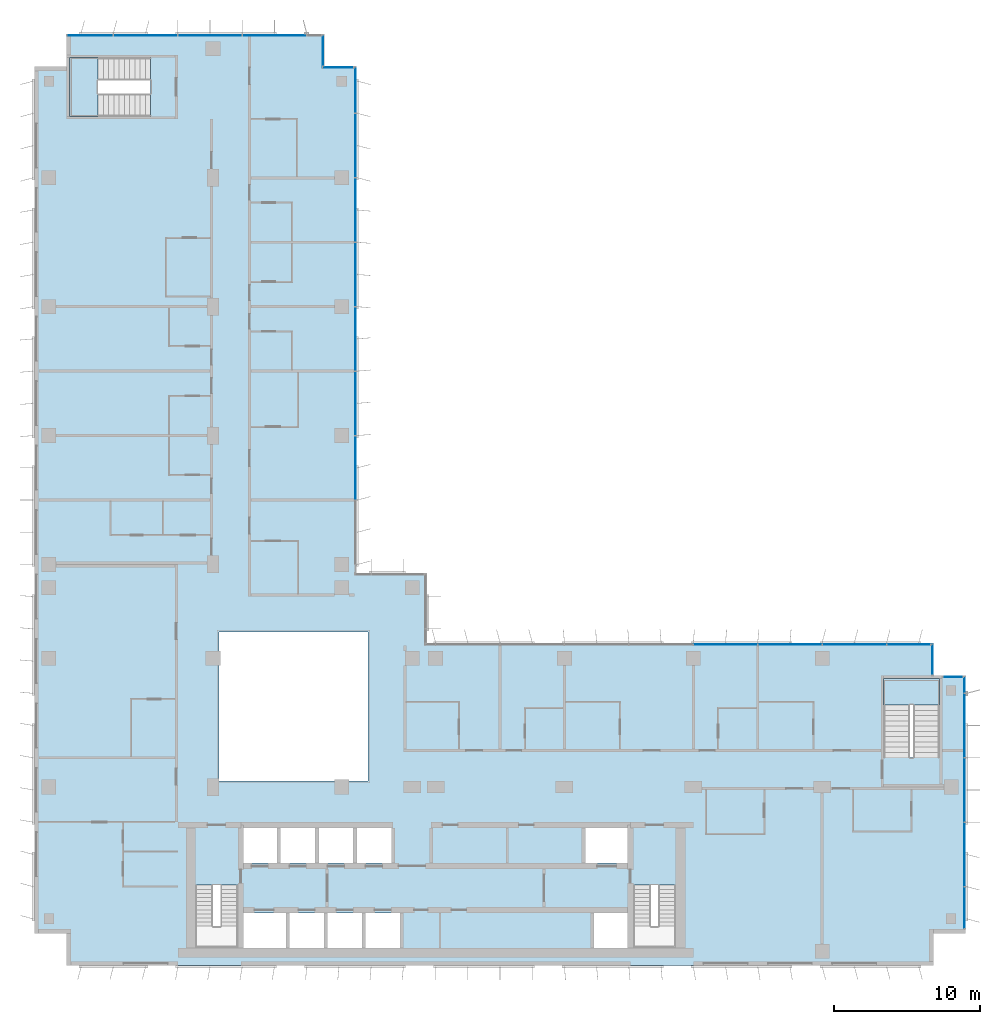
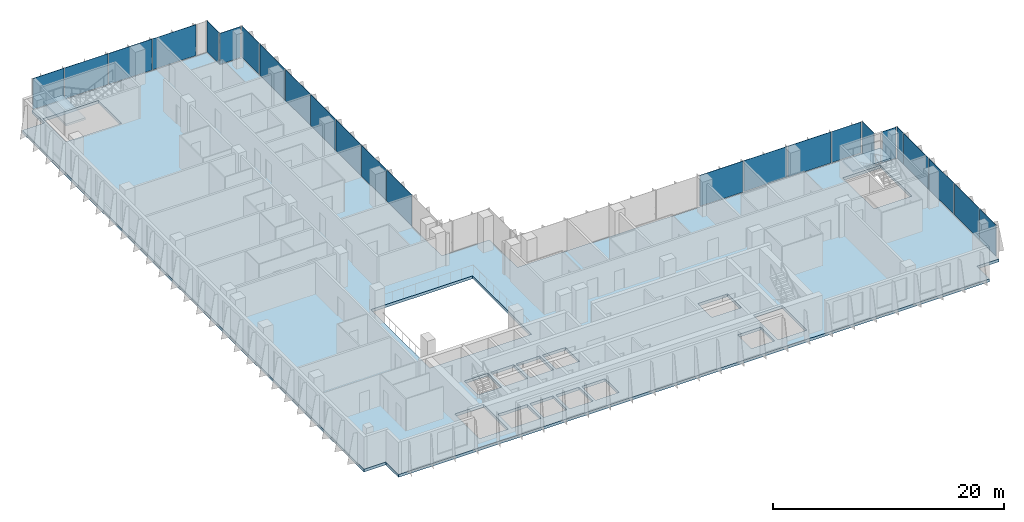
# One storey, part 11 of 21: 24 plates, 3 slabs, 10 elements without a shape of their own.
"""IFC4 building model written with IfcOpenShell, lengths in metres."""

from ifc_helpers import new_model, si_unit, direction, frame, origin, origin_2d, place, context, subcontext, project, spatial, polyline, rectangle, outline, extrude, source, transform, mapped, material, layer, layer_set, type_object, element, aggregate, save


model = new_model("IFC4")

# Units and contexts
model_context = context("Model", 3, precision=1e-05, world=origin(), true_north=direction((0.0, 1.0)))
body_context = subcontext(model_context, "Body", "Model", "MODEL_VIEW")
ifc_project = project(units=[si_unit("LENGTHUNIT", "METRE"), si_unit("AREAUNIT", "SQUARE_METRE"), si_unit("VOLUMEUNIT", "CUBIC_METRE"), si_unit("PLANEANGLEUNIT", "RADIAN"), si_unit("MASSUNIT", "GRAM", prefix="KILO")], contexts=[model_context])

# Site, building, storey
site_placement = place(None, origin())
site = spatial("IfcSite", under=ifc_project, at=site_placement, CompositionType="ELEMENT")
building_placement = place(site_placement, origin())
building = spatial("IfcBuilding", under=site, at=building_placement, Name="Kemantara Hotel Tower", CompositionType="ELEMENT")
storey_placement = place(building_placement, frame((0.0, 0.0, 160.5)))
storey = spatial("IfcBuildingStorey", under=building, at=storey_placement, Name="L39", CompositionType="ELEMENT", Elevation=160.5)

# Slab
ifc_material_1 = material(Name="Concrete fc 40 MPa", Category="concrete")
ifc_layer_1 = layer(ifc_material_1, 0.300048828125)
ifc_layer_set_1 = layer_set([ifc_layer_1], Name="Concrete fc 40 MPa")
slab_type_1 = type_object("IfcSlabType", Name="POST-TENSIONED FLAT PLATE 300", PredefinedType="FLOOR", material=ifc_layer_set_1)
slab_1_placement = place(storey_placement, frame((0.0, 0.0, -0.300048828125)))
element("IfcSlab", 1, at=slab_1_placement, inside=storey, type_object=slab_type_1, Name="FLOOR SLAB L39", PredefinedType="FLOOR", context=body_context, shape_type="SweptSolid", body=[
    extrude(outline(polyline([(22.0, 26.800048828125), (22.0, 61.39990234375), (19.800048828125, 61.39990234375), (19.800048828125, 63.60009765625), (2.199951171875, 63.60009765625), (2.199951171875, 61.39990234375), (0.0, 61.39990234375), (0.0, 2.199951171875), (2.199951171875, 2.199951171875), (2.199951171875, 0.0), (61.39990234375, 0.0), (61.39990234375, 2.199951171875), (63.60009765625, 2.199951171875), (63.60009765625, 19.800048828125), (61.39990234375, 19.800048828125), (61.39990234375, 22.0), (26.800048828125, 22.0), (26.800048828125, 26.800048828125), (22.0, 26.800048828125)]), holes=[polyline([(17.175048828125, 3.60009765625), (17.175048828125, 1.199951171875), (14.22509765625, 1.199951171875), (14.22509765625, 3.60009765625), (17.175048828125, 3.60009765625)]), polyline([(19.77490234375, 1.199951171875), (17.425048828125, 1.199951171875), (17.425048828125, 3.60009765625), (19.77490234375, 3.60009765625), (19.77490234375, 1.199951171875)]), polyline([(11.0, 1.199951171875), (11.0, 5.49951171875), (13.89990234375, 5.49951171875), (13.89990234375, 1.199951171875), (11.0, 1.199951171875)]), polyline([(16.574951171875, 7.0), (14.22509765625, 7.0), (14.22509765625, 9.39990234375), (16.574951171875, 9.39990234375), (16.574951171875, 7.0)]), polyline([(19.175048828125, 7.0), (16.824951171875, 7.0), (16.824951171875, 9.39990234375), (19.175048828125, 9.39990234375), (19.175048828125, 7.0)]), polyline([(21.77490234375, 7.0), (19.425048828125, 7.0), (19.425048828125, 9.39990234375), (21.77490234375, 9.39990234375), (21.77490234375, 7.0)]), polyline([(22.800048828125, 12.60009765625), (12.60009765625, 12.60009765625), (12.60009765625, 22.800048828125), (22.800048828125, 22.800048828125), (22.800048828125, 12.60009765625)]), polyline([(2.39990234375, 62.0), (7.949462890625, 62.0), (7.949462890625, 58.0), (2.39990234375, 58.0), (2.39990234375, 62.0)]), polyline([(22.375, 1.199951171875), (20.02490234375, 1.199951171875), (20.02490234375, 3.60009765625), (22.375, 3.60009765625), (22.375, 1.199951171875)]), polyline([(24.97509765625, 1.199951171875), (22.625, 1.199951171875), (22.625, 3.60009765625), (24.97509765625, 3.60009765625), (24.97509765625, 1.199951171875)]), polyline([(40.574951171875, 1.199951171875), (38.22509765625, 1.199951171875), (38.22509765625, 3.60009765625), (40.574951171875, 3.60009765625), (40.574951171875, 1.199951171875)]), polyline([(40.89990234375, 1.199951171875), (40.89990234375, 5.49951171875), (43.800048828125, 5.49951171875), (43.800048828125, 1.199951171875), (40.89990234375, 1.199951171875)]), polyline([(24.375, 7.0), (22.02490234375, 7.0), (22.02490234375, 9.39990234375), (24.375, 9.39990234375), (24.375, 7.0)]), polyline([(40.574951171875, 7.0), (37.625, 7.0), (37.625, 9.39990234375), (40.574951171875, 9.39990234375), (40.574951171875, 7.0)]), polyline([(61.800048828125, 19.60009765625), (61.800048828125, 14.20068359375), (58.0, 14.20068359375), (58.0, 19.60009765625), (61.800048828125, 19.60009765625)])]), origin(), (0.0, 0.0, 1.0), 0.300048828125),
])

# Stair, slab
stair_type_1 = type_object("IfcStairType", Name="Stair 1800 wide 22 risers of 168 x 360 mm", PredefinedType="HALF_TURN_STAIR", material=ifc_material_1)
stair_1_placement = place(storey_placement, origin())
stair_1 = element("IfcStair", 2, at=stair_1_placement, inside=storey, type_object=stair_type_1, Name="L39 Exit stair ST3", PredefinedType="HALF_TURN_STAIR")
ifc_layer_2 = layer(ifc_material_1, 0.199951171875)
ifc_layer_set_2 = layer_set([ifc_layer_2], Name="Concrete fc 40 MPa")
slab_type_2 = type_object("IfcSlabType", Name="Stair landing 200 mm", PredefinedType="LANDING", material=ifc_layer_set_2)
slab_2_placement = place(storey_placement, frame((0.0, 0.0, 1.64990234375)))
slab_2 = element("IfcSlab", 3, at=slab_2_placement, type_object=slab_type_2, Name="ST3 landing 1", PredefinedType="LANDING", context=body_context, shape_type="SweptSolid", body=[
    extrude(outline(polyline([(61.800048828125, 17.800048828125), (61.800048828125, 19.60009765625), (58.0, 19.60009765625), (58.0, 17.800048828125), (61.800048828125, 17.800048828125)])), origin(), (0.0, 0.0, 1.0), 0.2001953125),
])
aggregate(stair_1, [slab_2])

stair_type_2 = type_object("IfcStairType", Name="Stair 1550 wide 22 risers of 168 x 360 mm", PredefinedType="HALF_TURN_STAIR", material=ifc_material_1)
stair_2_placement = place(storey_placement, origin())
stair_2 = element("IfcStair", 4, at=stair_2_placement, inside=storey, type_object=stair_type_2, Name="L39 Exit stair ST4", PredefinedType="HALF_TURN_STAIR")
slab_3_placement = place(storey_placement, frame((0.0, 0.0, 1.64990234375)))
slab_3 = element("IfcSlab", 5, at=slab_3_placement, type_object=slab_type_2, Name="ST4 landing 1", PredefinedType="LANDING", context=body_context, shape_type="SweptSolid", body=[
    extrude(outline(polyline([(4.35009765625, 62.0), (2.39990234375, 62.0), (2.39990234375, 58.0), (4.35009765625, 58.0), (4.35009765625, 62.0)])), origin(), (0.0, 0.0, 1.0), 0.2001953125),
])
aggregate(stair_2, [slab_3])

# Curtain wall, plate
ifc_material_2 = material(Name="Low-E tinted double insulated glass 36 mm", Category="glass")
curtain_wall_type = type_object("IfcCurtainWallType", Name="TOWER CURTAIN WALL, FRONT FACES", PredefinedType="USERDEFINED", material=ifc_material_2)
curtain_wall_1_placement = place(storey_placement, origin())
curtain_wall_1 = element("IfcCurtainWall", 6, at=curtain_wall_1_placement, inside=storey, type_object=curtain_wall_type, Name="CW4 L39 T3-R11-1", ObjectType="TOWER CURTAIN WALL, FRONT FACES", PredefinedType="USERDEFINED")
ifc_layer_3 = layer(ifc_material_2, 0.035888671875)
ifc_layer_set_3 = layer_set([ifc_layer_3], Name="Low-E tinted double insulated glass 36 mm")
plate_type = type_object("IfcPlateType", Name="TOWER CURTAIN WALL, FRONT FACES PANEL", PredefinedType="CURTAIN_PANEL", material=ifc_layer_set_3)
shared_shape_1 = source(origin(), body_context, "Body", "SweptSolid", [
    extrude(rectangle(XDim=2.81005859375, YDim=0.035888671875, at=origin_2d()), origin(), (0.0, 0.0, 1.0), 3.280029296875),
])
plate_1_placement = place(storey_placement, frame((63.52490234375, 3.965087890625, 0.1201171875), z_axis=(0.0, 0.0, 1.0), x_axis=(0.0, 1.0, 0.0)))
plate_1 = element("IfcPlate", 7, at=plate_1_placement, type_object=plate_type, Name="CW4 glass panel T3-R11-1.1", PredefinedType="CURTAIN_PANEL", context=body_context, shape_type="MappedRepresentation", body=[
    mapped(shared_shape_1, transform((0.0, 0.0, 0.0))),
])

# Curtain wall, plates
curtain_wall_2_placement = place(storey_placement, origin())
curtain_wall_2 = element("IfcCurtainWall", 8, at=curtain_wall_2_placement, inside=storey, type_object=curtain_wall_type, Name="CW4 L39 T3-R02-1", ObjectType="TOWER CURTAIN WALL, FRONT FACES", PredefinedType="USERDEFINED")
shared_shape_2 = source(origin(), body_context, "Body", "SweptSolid", [
    extrude(rectangle(XDim=4.340087890625, YDim=0.035888671875, at=origin_2d()), origin(), (0.0, 0.0, 1.0), 3.280029296875),
])
plate_2_placement = place(storey_placement, frame((16.39990234375, 63.52490234375, 0.1201171875), z_axis=(0.0, 0.0, 1.0), x_axis=(-1.0, 0.0, 0.0)))
plate_2 = element("IfcPlate", 9, at=plate_2_placement, type_object=plate_type, Name="CW4 glass panel T3-R02-1.2", PredefinedType="CURTAIN_PANEL", context=body_context, shape_type="MappedRepresentation", body=[
    mapped(shared_shape_2, transform((0.0, 0.0, 0.0))),
])
plate_3_placement = place(storey_placement, frame((12.0, 63.52490234375, 0.1201171875), z_axis=(0.0, 0.0, 1.0), x_axis=(-1.0, 0.0, 0.0)))
plate_3 = element("IfcPlate", 10, at=plate_3_placement, type_object=plate_type, Name="CW4 glass panel T3-R02-1.3", PredefinedType="CURTAIN_PANEL", context=body_context, shape_type="MappedRepresentation", body=[
    mapped(shared_shape_2, transform((0.0, 0.0, 0.0))),
])
plate_4_placement = place(storey_placement, frame((7.60009765625, 63.52490234375, 0.1201171875), z_axis=(0.0, 0.0, 1.0), x_axis=(-1.0, 0.0, 0.0)))
plate_4 = element("IfcPlate", 11, at=plate_4_placement, type_object=plate_type, Name="CW4 glass panel T3-R02-1.4", PredefinedType="CURTAIN_PANEL", context=body_context, shape_type="MappedRepresentation", body=[
    mapped(shared_shape_2, transform((0.0, 0.0, 0.0))),
])

# Plate
plate_5_placement = place(storey_placement, frame((63.52490234375, 7.60009765625, 0.1201171875), z_axis=(0.0, 0.0, 1.0), x_axis=(0.0, 1.0, 0.0)))
plate_5 = element("IfcPlate", 12, at=plate_5_placement, type_object=plate_type, Name="CW4 glass panel T3-R11-1.2", PredefinedType="CURTAIN_PANEL", context=body_context, shape_type="MappedRepresentation", body=[
    mapped(shared_shape_2, transform((0.0, 0.0, 0.0))),
])

plate_6_placement = place(storey_placement, frame((63.52490234375, 12.0, 0.1201171875), z_axis=(0.0, 0.0, 1.0), x_axis=(0.0, 1.0, 0.0)))
plate_6 = element("IfcPlate", 13, at=plate_6_placement, type_object=plate_type, Name="CW4 glass panel T3-R11-1.3", PredefinedType="CURTAIN_PANEL", context=body_context, shape_type="MappedRepresentation", body=[
    mapped(shared_shape_2, transform((0.0, 0.0, 0.0))),
])

plate_7_placement = place(storey_placement, frame((63.52490234375, 16.39990234375, 0.1201171875), z_axis=(0.0, 0.0, 1.0), x_axis=(0.0, 1.0, 0.0)))
plate_7 = element("IfcPlate", 14, at=plate_7_placement, type_object=plate_type, Name="CW4 glass panel T3-R11-1.4", PredefinedType="CURTAIN_PANEL", context=body_context, shape_type="MappedRepresentation", body=[
    mapped(shared_shape_2, transform((0.0, 0.0, 0.0))),
])

# Curtain wall, plates
curtain_wall_3_placement = place(storey_placement, origin())
curtain_wall_3 = element("IfcCurtainWall", 15, at=curtain_wall_3_placement, inside=storey, type_object=curtain_wall_type, Name="CW4 L39 T3-R14-1", ObjectType="TOWER CURTAIN WALL, FRONT FACES", PredefinedType="USERDEFINED")
plate_8_placement = place(storey_placement, frame((56.0, 21.925048828125, 0.1201171875), z_axis=(0.0, 0.0, 1.0), x_axis=(-1.0, 0.0, 0.0)))
plate_8 = element("IfcPlate", 16, at=plate_8_placement, type_object=plate_type, Name="CW4 glass panel T3-R14-1.2", PredefinedType="CURTAIN_PANEL", context=body_context, shape_type="MappedRepresentation", body=[
    mapped(shared_shape_2, transform((0.0, 0.0, 0.0))),
])
plate_9_placement = place(storey_placement, frame((51.60009765625, 21.925048828125, 0.1201171875), z_axis=(0.0, 0.0, 1.0), x_axis=(-1.0, 0.0, 0.0)))
plate_9 = element("IfcPlate", 17, at=plate_9_placement, type_object=plate_type, Name="CW4 glass panel T3-R14-1.3", PredefinedType="CURTAIN_PANEL", context=body_context, shape_type="MappedRepresentation", body=[
    mapped(shared_shape_2, transform((0.0, 0.0, 0.0))),
])
plate_10_placement = place(storey_placement, frame((47.199951171875, 21.925048828125, 0.1201171875), z_axis=(0.0, 0.0, 1.0), x_axis=(-1.0, 0.0, 0.0)))
plate_10 = element("IfcPlate", 18, at=plate_10_placement, type_object=plate_type, Name="CW4 glass panel T3-R14-1.4", PredefinedType="CURTAIN_PANEL", context=body_context, shape_type="MappedRepresentation", body=[
    mapped(shared_shape_2, transform((0.0, 0.0, 0.0))),
])

curtain_wall_4_placement = place(storey_placement, origin())
curtain_wall_4 = element("IfcCurtainWall", 19, at=curtain_wall_4_placement, inside=storey, type_object=curtain_wall_type, Name="CW4 L39 T3-R17-1", ObjectType="TOWER CURTAIN WALL, FRONT FACES", PredefinedType="USERDEFINED")
plate_11_placement = place(storey_placement, frame((21.925048828125, 34.0, 0.1201171875), z_axis=(0.0, 0.0, 1.0), x_axis=(0.0, 1.0, 0.0)))
plate_11 = element("IfcPlate", 20, at=plate_11_placement, type_object=plate_type, Name="CW4 glass panel T3-R17-1.3", PredefinedType="CURTAIN_PANEL", context=body_context, shape_type="MappedRepresentation", body=[
    mapped(shared_shape_2, transform((0.0, 0.0, 0.0))),
])
plate_12_placement = place(storey_placement, frame((21.925048828125, 38.39990234375, 0.1201171875), z_axis=(0.0, 0.0, 1.0), x_axis=(0.0, 1.0, 0.0)))
plate_12 = element("IfcPlate", 21, at=plate_12_placement, type_object=plate_type, Name="CW4 glass panel T3-R17-1.4", PredefinedType="CURTAIN_PANEL", context=body_context, shape_type="MappedRepresentation", body=[
    mapped(shared_shape_2, transform((0.0, 0.0, 0.0))),
])
plate_13_placement = place(storey_placement, frame((21.925048828125, 42.800048828125, 0.1201171875), z_axis=(0.0, 0.0, 1.0), x_axis=(0.0, 1.0, 0.0)))
plate_13 = element("IfcPlate", 22, at=plate_13_placement, type_object=plate_type, Name="CW4 glass panel T3-R17-1.5", PredefinedType="CURTAIN_PANEL", context=body_context, shape_type="MappedRepresentation", body=[
    mapped(shared_shape_2, transform((0.0, 0.0, 0.0))),
])
plate_14_placement = place(storey_placement, frame((21.925048828125, 47.199951171875, 0.1201171875), z_axis=(0.0, 0.0, 1.0), x_axis=(0.0, 1.0, 0.0)))
plate_14 = element("IfcPlate", 23, at=plate_14_placement, type_object=plate_type, Name="CW4 glass panel T3-R17-1.6", PredefinedType="CURTAIN_PANEL", context=body_context, shape_type="MappedRepresentation", body=[
    mapped(shared_shape_2, transform((0.0, 0.0, 0.0))),
])
plate_15_placement = place(storey_placement, frame((21.925048828125, 51.60009765625, 0.1201171875), z_axis=(0.0, 0.0, 1.0), x_axis=(0.0, 1.0, 0.0)))
plate_15 = element("IfcPlate", 24, at=plate_15_placement, type_object=plate_type, Name="CW4 glass panel T3-R17-1.7", PredefinedType="CURTAIN_PANEL", context=body_context, shape_type="MappedRepresentation", body=[
    mapped(shared_shape_2, transform((0.0, 0.0, 0.0))),
])
plate_16_placement = place(storey_placement, frame((21.925048828125, 56.0, 0.1201171875), z_axis=(0.0, 0.0, 1.0), x_axis=(0.0, 1.0, 0.0)))
plate_16 = element("IfcPlate", 25, at=plate_16_placement, type_object=plate_type, Name="CW4 glass panel T3-R17-1.8", PredefinedType="CURTAIN_PANEL", context=body_context, shape_type="MappedRepresentation", body=[
    mapped(shared_shape_2, transform((0.0, 0.0, 0.0))),
])

# Plate
shared_shape_3 = source(origin(), body_context, "Body", "SweptSolid", [
    extrude(rectangle(XDim=3.110107421875, YDim=0.035888671875, at=origin_2d()), origin(), (0.0, 0.0, 1.0), 3.280029296875),
])
plate_17_placement = place(storey_placement, frame((3.81494140625, 63.52490234375, 0.1201171875), z_axis=(0.0, 0.0, 1.0), x_axis=(-1.0, 0.0, 0.0)))
plate_17 = element("IfcPlate", 26, at=plate_17_placement, type_object=plate_type, Name="CW4 glass panel T3-R02-1.5", PredefinedType="CURTAIN_PANEL", context=body_context, shape_type="MappedRepresentation", body=[
    mapped(shared_shape_3, transform((0.0, 0.0, 0.0))),
])

aggregate(curtain_wall_2, [plate_2, plate_3, plate_4, plate_17])

plate_18_placement = place(storey_placement, frame((21.925048828125, 59.784912109375, 0.1201171875), z_axis=(0.0, 0.0, 1.0), x_axis=(0.0, 1.0, 0.0)))
plate_18 = element("IfcPlate", 27, at=plate_18_placement, type_object=plate_type, Name="CW4 glass panel T3-R17-1.9", PredefinedType="CURTAIN_PANEL", context=body_context, shape_type="MappedRepresentation", body=[
    mapped(shared_shape_3, transform((0.0, 0.0, 0.0))),
])

aggregate(curtain_wall_4, [plate_11, plate_12, plate_13, plate_14, plate_15, plate_16, plate_18])

# Curtain wall, plate
curtain_wall_5_placement = place(storey_placement, origin())
curtain_wall_5 = element("IfcCurtainWall", 28, at=curtain_wall_5_placement, inside=storey, type_object=curtain_wall_type, Name="CW4 L39 T3-R00-1", ObjectType="TOWER CURTAIN WALL, FRONT FACES", PredefinedType="USERDEFINED")
shared_shape_4 = source(origin(), body_context, "Body", "SweptSolid", [
    extrude(rectangle(XDim=2.080078125, YDim=0.035888671875, at=origin_2d()), origin(), (0.0, 0.0, 1.0), 3.280029296875),
])
plate_19_placement = place(storey_placement, frame((20.75, 61.324951171875, 0.1201171875), z_axis=(0.0, 0.0, 1.0), x_axis=(-1.0, 0.0, 0.0)))
plate_19 = element("IfcPlate", 29, at=plate_19_placement, type_object=plate_type, Name="CW4 glass panel T3-R00-1.1", PredefinedType="CURTAIN_PANEL", context=body_context, shape_type="MappedRepresentation", body=[
    mapped(shared_shape_4, transform((0.0, 0.0, 0.0))),
])
aggregate(curtain_wall_5, [plate_19])

curtain_wall_6_placement = place(storey_placement, origin())
curtain_wall_6 = element("IfcCurtainWall", 30, at=curtain_wall_6_placement, inside=storey, type_object=curtain_wall_type, Name="CW4 L39 T3-R01-1", ObjectType="TOWER CURTAIN WALL, FRONT FACES", PredefinedType="USERDEFINED")
plate_20_placement = place(storey_placement, frame((19.72509765625, 62.5, 0.1201171875), z_axis=(0.0, 0.0, 1.0), x_axis=(0.0, 1.0, 0.0)))
plate_20 = element("IfcPlate", 31, at=plate_20_placement, type_object=plate_type, Name="CW4 glass panel T3-R01-1.1", PredefinedType="CURTAIN_PANEL", context=body_context, shape_type="MappedRepresentation", body=[
    mapped(shared_shape_4, transform((0.0, 0.0, 0.0))),
])
aggregate(curtain_wall_6, [plate_20])

curtain_wall_7_placement = place(storey_placement, origin())
curtain_wall_7 = element("IfcCurtainWall", 32, at=curtain_wall_7_placement, inside=storey, type_object=curtain_wall_type, Name="CW4 L39 T3-R13-1", ObjectType="TOWER CURTAIN WALL, FRONT FACES", PredefinedType="USERDEFINED")
plate_21_placement = place(storey_placement, frame((61.324951171875, 20.89990234375, 0.1201171875), z_axis=(0.0, 0.0, 1.0), x_axis=(0.0, 1.0, 0.0)))
plate_21 = element("IfcPlate", 33, at=plate_21_placement, type_object=plate_type, Name="CW4 glass panel T3-R13-1.1", PredefinedType="CURTAIN_PANEL", context=body_context, shape_type="MappedRepresentation", body=[
    mapped(shared_shape_4, transform((0.0, 0.0, 0.0))),
])
aggregate(curtain_wall_7, [plate_21])

# Plate
shared_shape_5 = source(origin(), body_context, "Body", "SweptSolid", [
    extrude(rectangle(XDim=2.9599609375, YDim=0.035888671875, at=origin_2d()), origin(), (0.0, 0.0, 1.0), 3.280029296875),
])
plate_22_placement = place(storey_placement, frame((59.7099609375, 21.925048828125, 0.1201171875), z_axis=(0.0, 0.0, 1.0), x_axis=(-1.0, 0.0, 0.0)))
plate_22 = element("IfcPlate", 34, at=plate_22_placement, type_object=plate_type, Name="CW4 glass panel T3-R14-1.1", PredefinedType="CURTAIN_PANEL", context=body_context, shape_type="MappedRepresentation", body=[
    mapped(shared_shape_5, transform((0.0, 0.0, 0.0))),
])

aggregate(curtain_wall_3, [plate_22, plate_8, plate_9, plate_10])

shared_shape_6 = source(origin(), body_context, "Body", "SweptSolid", [
    extrude(rectangle(XDim=1.110107421875, YDim=0.035888671875, at=origin_2d()), origin(), (0.0, 0.0, 1.0), 3.280029296875),
])
plate_23_placement = place(storey_placement, frame((63.52490234375, 19.18505859375, 0.1201171875), z_axis=(0.0, 0.0, 1.0), x_axis=(0.0, 1.0, 0.0)))
plate_23 = element("IfcPlate", 35, at=plate_23_placement, type_object=plate_type, Name="CW4 glass panel T3-R11-1.5", PredefinedType="CURTAIN_PANEL", context=body_context, shape_type="MappedRepresentation", body=[
    mapped(shared_shape_6, transform((0.0, 0.0, 0.0))),
])

aggregate(curtain_wall_1, [plate_1, plate_5, plate_6, plate_7, plate_23])

# Curtain wall, plate
curtain_wall_8_placement = place(storey_placement, origin())
curtain_wall_8 = element("IfcCurtainWall", 36, at=curtain_wall_8_placement, inside=storey, type_object=curtain_wall_type, Name="CW4 L39 T3-R12-1", ObjectType="TOWER CURTAIN WALL, FRONT FACES", PredefinedType="USERDEFINED")
shared_shape_7 = source(origin(), body_context, "Body", "SweptSolid", [
    extrude(rectangle(XDim=1.330078125, YDim=0.035888671875, at=origin_2d()), origin(), (0.0, 0.0, 1.0), 3.280029296875),
])
plate_24_placement = place(storey_placement, frame((62.72509765625, 19.72509765625, 0.1201171875), z_axis=(0.0, 0.0, 1.0), x_axis=(-1.0, 0.0, 0.0)))
plate_24 = element("IfcPlate", 37, at=plate_24_placement, type_object=plate_type, Name="CW4 glass panel T3-R12-1.1", PredefinedType="CURTAIN_PANEL", context=body_context, shape_type="MappedRepresentation", body=[
    mapped(shared_shape_7, transform((0.0, 0.0, 0.0))),
])
aggregate(curtain_wall_8, [plate_24])

save(model, "model.ifc")
